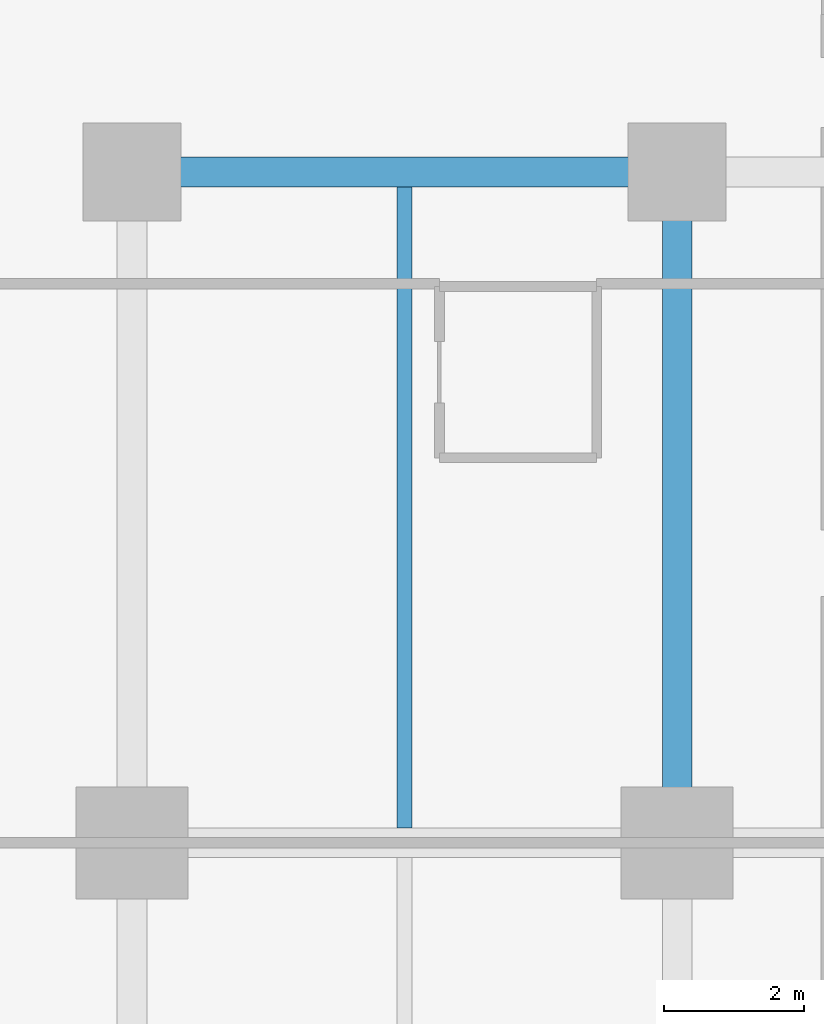
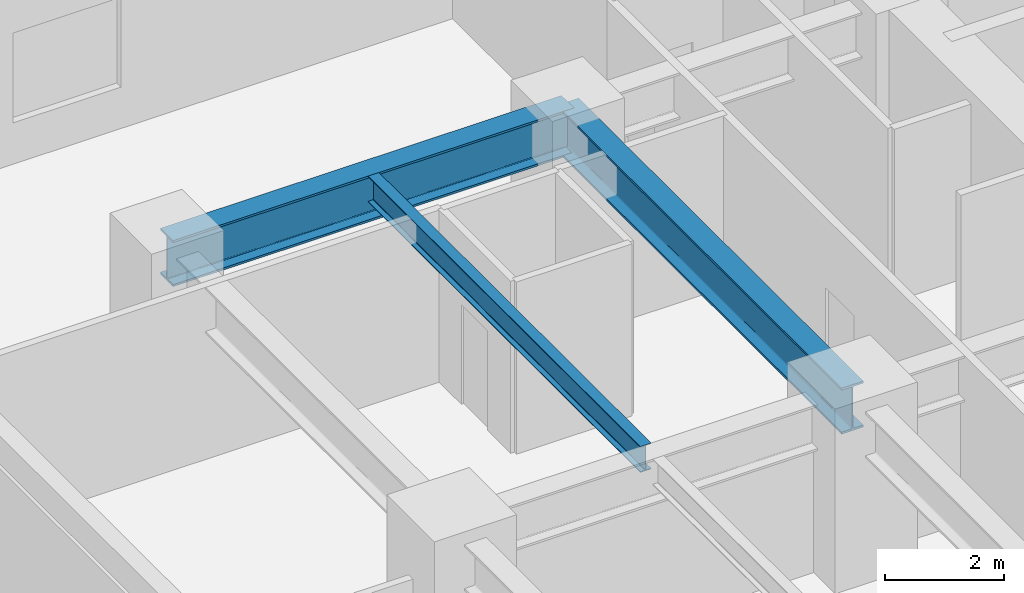
# One storey, part 2 of 12: 3 beams.
"""IFC4 building model written with IfcOpenShell, lengths in metres."""

from ifc_helpers import new_model, si_unit, direction, frame, origin, origin_2d, place, context, subcontext, project, spatial, i_section, extrude, material, material_profile, profile_set, type_object, element, save


model = new_model("IFC4")

# Units and contexts
model_context = context("Model", 3, precision=1e-05, world=origin(), true_north=direction((0.0, 1.0)))
body_context = subcontext(model_context, "Body", "Model", "MODEL_VIEW")
ifc_project = project(units=[si_unit("LENGTHUNIT", "METRE"), si_unit("AREAUNIT", "SQUARE_METRE"), si_unit("VOLUMEUNIT", "CUBIC_METRE"), si_unit("PLANEANGLEUNIT", "RADIAN"), si_unit("MASSUNIT", "GRAM", prefix="KILO")], contexts=[model_context])

# Site, building, storey
site_placement = place(None, origin())
site = spatial("IfcSite", under=ifc_project, at=site_placement, CompositionType="ELEMENT")
building_placement = place(site_placement, origin())
building = spatial("IfcBuilding", under=site, at=building_placement, Name="Kestravale Grand Hotel", CompositionType="ELEMENT")
storey_placement = place(building_placement, frame((0.0, 0.0, 48.800048828125)))
storey = spatial("IfcBuildingStorey", under=building, at=storey_placement, Name="L11", CompositionType="ELEMENT", Elevation=48.800048828125)

# Beams
ifc_material_1 = material(Name="Steel ASTM A992 Grade 50", Category="steel")
ifc_material_profile_1 = material_profile(ifc_material_1, i_section(OverallWidth=0.2099609375, OverallDepth=0.535888671875, WebThickness=0.010986328125, FlangeThickness=0.017333984375, FilletRadius=0.017578125, at=origin_2d()))
ifc_profile_set_1 = profile_set([ifc_material_profile_1], Name="Steel ASTM A992 Grade 50")
beam_type_1 = type_object("IfcBeamType", Name="B-FLR-JST21", PredefinedType="JOIST", material=ifc_profile_set_1)
beam_1_placement = place(storey_placement, frame((11.699951171875, 29.011962890625, 3.27197265625), z_axis=(0.0, 1.0, 0.0), x_axis=(-1.0, 0.0, 0.0)))
element("IfcBeam", 1, at=beam_1_placement, inside=storey, type_object=beam_type_1, Name="L11 floor joist 2-3/E-F #1", PredefinedType="JOIST", context=body_context, shape_type="SweptSolid", body=[
    extrude(i_section(OverallWidth=0.2099609375, OverallDepth=0.535888671875, WebThickness=0.010986328125, FlangeThickness=0.017333984375, FilletRadius=0.017578125, at=origin_2d()), origin(), (0.0, 0.0, 1.0), 9.176025390625),
])
ifc_material_2 = material(Name="Steel ASTM A992 Grade 50", Category="steel")
ifc_material_profile_2 = material_profile(ifc_material_2, i_section(OverallWidth=0.424072265625, OverallDepth=0.947021484375, WebThickness=0.02392578125, FlangeThickness=0.042724609375, FilletRadius=0.0283203125, at=origin_2d()))
ifc_profile_set_2 = profile_set([ifc_material_profile_2], Name="Steel ASTM A992 Grade 50")
beam_type_2 = type_object("IfcBeamType", Name="B-GRD-W36", PredefinedType="BEAM", material=ifc_profile_set_2)
beam_2_placement = place(storey_placement, frame((7.800048828125, 38.39990234375, 3.06640625), z_axis=(1.0, 0.0, 0.0), x_axis=(0.0, 1.0, 0.0)))
element("IfcBeam", 2, at=beam_2_placement, inside=storey, type_object=beam_type_2, Name="L11 girder F:2-3", PredefinedType="BEAM", context=body_context, shape_type="SweptSolid", body=[
    extrude(i_section(OverallWidth=0.424072265625, OverallDepth=0.947021484375, WebThickness=0.02392578125, FlangeThickness=0.042724609375, FilletRadius=0.0283203125, at=origin_2d()), origin(), (0.0, 0.0, 1.0), 7.800048828125),
])
beam_3_placement = place(storey_placement, frame((15.60009765625, 28.800048828125, 3.06640625), z_axis=(0.0, 1.0, 0.0), x_axis=(-1.0, 0.0, 0.0)))
element("IfcBeam", 3, at=beam_3_placement, inside=storey, type_object=beam_type_2, Name="L11 girder 3:E-F", PredefinedType="BEAM", context=body_context, shape_type="SweptSolid", body=[
    extrude(i_section(OverallWidth=0.424072265625, OverallDepth=0.947021484375, WebThickness=0.02392578125, FlangeThickness=0.042724609375, FilletRadius=0.0283203125, at=origin_2d()), origin(), (0.0, 0.0, 1.0), 9.599853515625),
])

save(model, "model.ifc")
